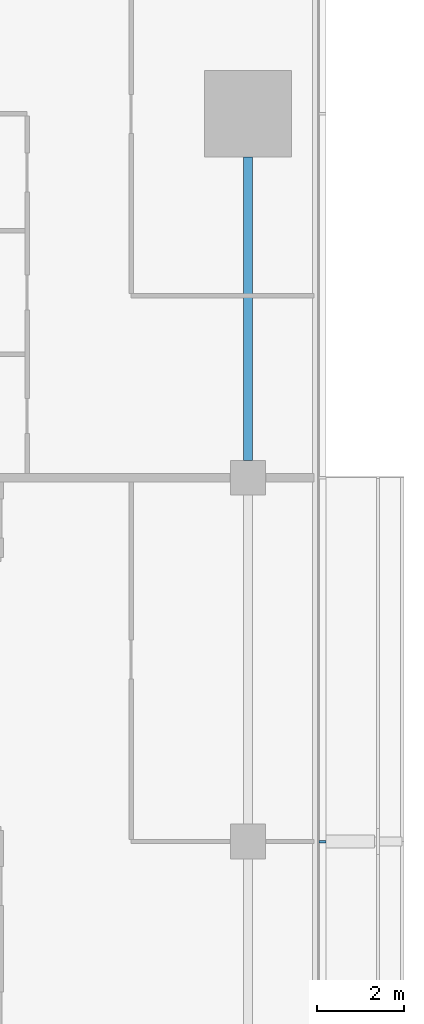
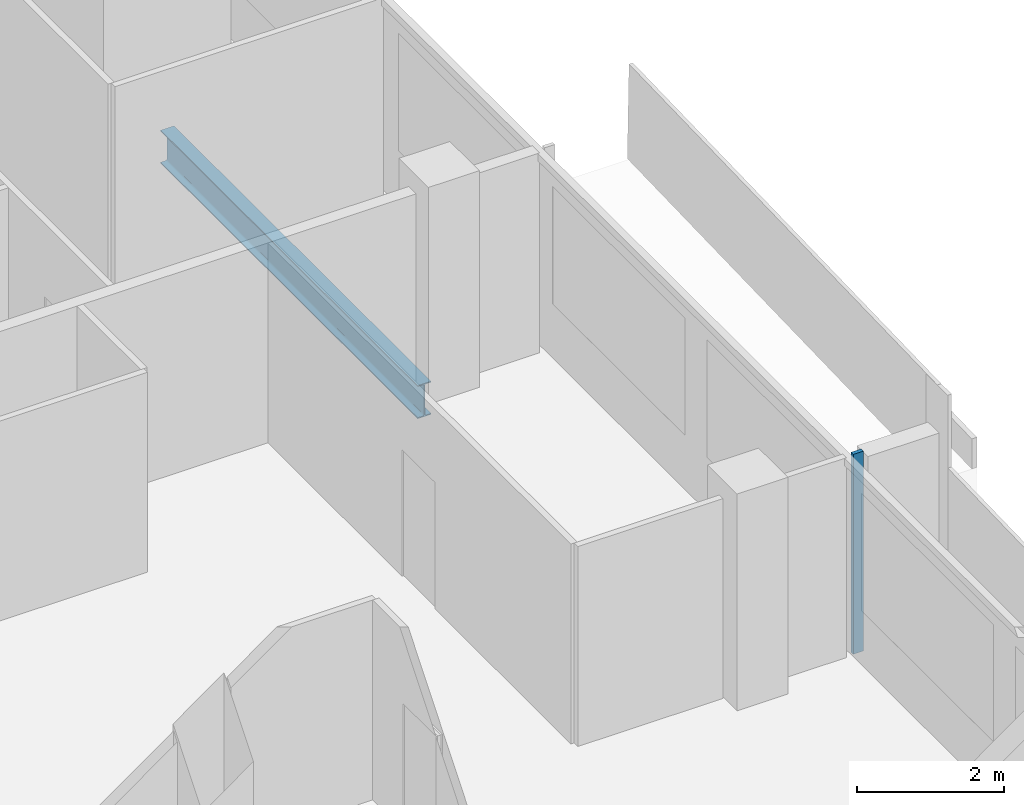
# One storey, part 11 of 25: 1 beam, 1 member, 1 element without a shape of its own.
"""IFC4 building model written with IfcOpenShell, lengths in metres."""

from ifc_helpers import new_model, si_unit, direction, frame, origin, origin_2d, place, context, subcontext, project, spatial, rectangle, i_section, extrude, material, material_profile, profile_set, type_object, element, aggregate, save


model = new_model("IFC4")

# Units and contexts
model_context = context("Model", 3, precision=1e-05, world=origin(), true_north=direction((0.0, 1.0)))
body_context = subcontext(model_context, "Body", "Model", "MODEL_VIEW")
ifc_project = project(units=[si_unit("LENGTHUNIT", "METRE"), si_unit("AREAUNIT", "SQUARE_METRE"), si_unit("VOLUMEUNIT", "CUBIC_METRE"), si_unit("PLANEANGLEUNIT", "RADIAN"), si_unit("MASSUNIT", "GRAM", prefix="KILO")], contexts=[model_context])

# Site, building, storey
site_placement = place(None, origin())
site = spatial("IfcSite", under=ifc_project, at=site_placement, CompositionType="ELEMENT")
building_placement = place(site_placement, origin())
building = spatial("IfcBuilding", under=site, at=building_placement, Name="Saffron Gate Tower", CompositionType="ELEMENT")
storey_placement = place(building_placement, frame((0.0, 0.0, 131.25)))
storey = spatial("IfcBuildingStorey", under=building, at=storey_placement, Name="L31", CompositionType="ELEMENT", Elevation=131.25)

# Beam
ifc_material_1 = material(Name="Structural steel S355", Category="steel")
ifc_material_profile_1 = material_profile(ifc_material_1, i_section(OverallWidth=0.2099609375, OverallDepth=0.550048828125, WebThickness=0.010986328125, FlangeThickness=0.01708984375, FilletRadius=0.02392578125, at=origin_2d()))
ifc_profile_set_1 = profile_set([ifc_material_profile_1], Name="Structural steel S355")
beam_type = type_object("IfcBeamType", Name="B13 IPE 550", PredefinedType="SPANDREL", material=ifc_profile_set_1)
beam_placement = place(storey_placement, frame((125.39990234375, 57.39990234375, -0.554931640625), z_axis=(0.0, 1.0, 0.0), x_axis=(-1.0, 0.0, 0.0)))
element("IfcBeam", 1, at=beam_placement, inside=storey, type_object=beam_type, Name="B13 SPANDREL BEAM", PredefinedType="SPANDREL", context=body_context, shape_type="SweptSolid", body=[
    extrude(i_section(OverallWidth=0.2099609375, OverallDepth=0.550048828125, WebThickness=0.010986328125, FlangeThickness=0.01708984375, FilletRadius=0.02392578125, at=origin_2d()), origin(), (0.0, 0.0, 1.0), 7.0),
])

# Curtain wall, member
ifc_material_2 = material(Name="Aluminium, bronze anodised", Category="aluminium")
curtain_wall_type = type_object("IfcCurtainWallType", Name="CWS2 curtain wall side facades", PredefinedType="NOTDEFINED", material=ifc_material_2)
curtain_wall_placement = place(storey_placement, origin())
curtain_wall = element("IfcCurtainWall", 2, at=curtain_wall_placement, inside=storey, type_object=curtain_wall_type, Name="CWS2 run 4", PredefinedType="NOTDEFINED")
ifc_material_profile_2 = material_profile(ifc_material_2, rectangle(XDim=0.159912109375, YDim=0.06005859375, at=origin_2d()))
ifc_profile_set_2 = profile_set([ifc_material_profile_2], Name="Aluminium, bronze anodised")
member_type = type_object("IfcMemberType", Name="CWS2 mullion 60x160", PredefinedType="MULLION", material=ifc_profile_set_2)
member_placement = place(storey_placement, frame((127.1201171875, 48.60009765625, 0.0), z_axis=(0.0, 0.0, 1.0), x_axis=(-1.0, 0.0, 0.0)))
member = element("IfcMember", 3, at=member_placement, type_object=member_type, Name="CWS2 mullion 3", PredefinedType="MULLION", context=body_context, shape_type="SweptSolid", body=[
    extrude(rectangle(XDim=0.159912109375, YDim=0.06005859375, at=origin_2d()), origin(), (0.0, 0.0, 1.0), 3.320068359375),
])
aggregate(curtain_wall, [member])

save(model, "model.ifc")
